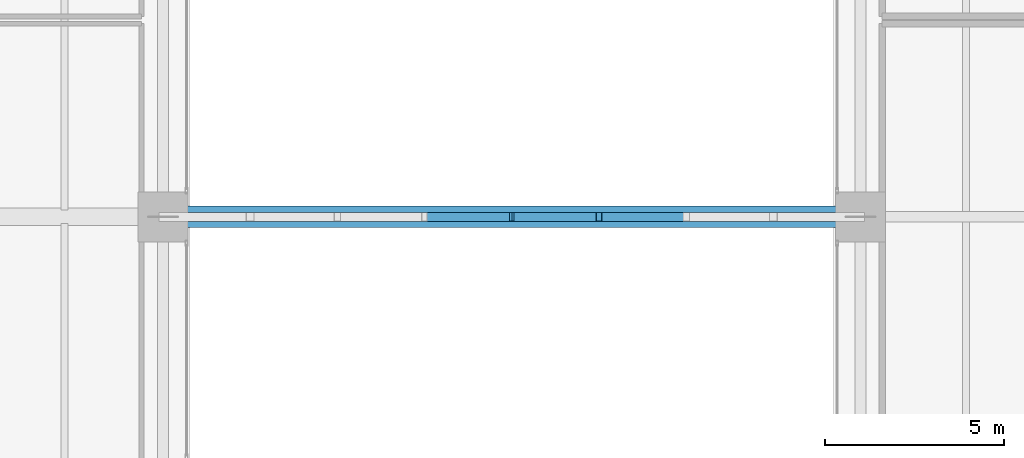
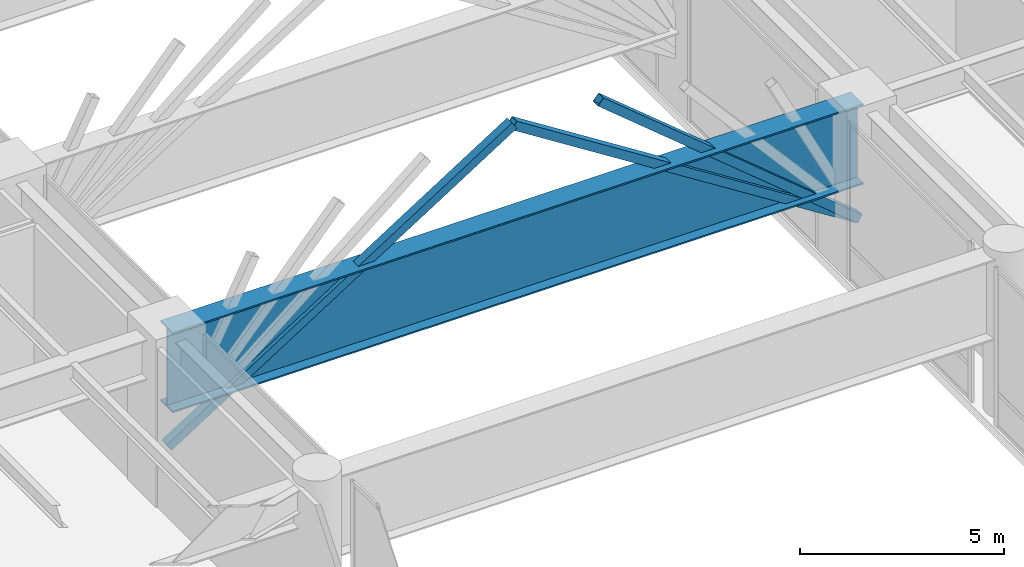
# One storey, part 15 of 39: 3 members, 1 beam.
"""IFC4 building model written with IfcOpenShell, lengths in metres."""

from ifc_helpers import new_model, si_unit, direction, frame, origin, origin_2d, place, context, subcontext, project, spatial, hollow_rectangle, i_section, extrude, source, transform, mapped, material, material_profile, profile_set, type_object, type_shapes, element, save


model = new_model("IFC4")

# Units and contexts
model_context = context("Model", 3, precision=1e-05, world=origin(), true_north=direction((0.0, 1.0)))
body_context = subcontext(model_context, "Body", "Model", "MODEL_VIEW")
ifc_project = project(units=[si_unit("LENGTHUNIT", "METRE"), si_unit("AREAUNIT", "SQUARE_METRE"), si_unit("VOLUMEUNIT", "CUBIC_METRE"), si_unit("PLANEANGLEUNIT", "RADIAN"), si_unit("MASSUNIT", "GRAM", prefix="KILO")], contexts=[model_context])

# Site, building, storey
site_placement = place(None, origin())
site = spatial("IfcSite", under=ifc_project, at=site_placement, CompositionType="ELEMENT")
building_placement = place(site_placement, origin())
building = spatial("IfcBuilding", under=site, at=building_placement, Name="Tolvann Quenvar Hotel", CompositionType="ELEMENT")
storey_placement = place(building_placement, frame((0.0, 0.0, 11.0)))
storey = spatial("IfcBuildingStorey", under=building, at=storey_placement, Name="L02", CompositionType="ELEMENT", Elevation=11.0)

# Beam
ifc_material_1 = material(Name="Steel Grade 350", Category="steel")
ifc_material_profile_1 = material_profile(ifc_material_1, i_section(OverallWidth=0.60009765625, OverallDepth=2.39990234375, WebThickness=0.02001953125, FlangeThickness=0.044921875, at=origin_2d()), Name="2400WB655")
ifc_profile_set_1 = profile_set([ifc_material_profile_1], Name="Steel Grade 350")
beam_type = type_object("IfcBeamType", Name="BM_TG_2400WB655", PredefinedType="USERDEFINED", material=ifc_profile_set_1)
shared_shape_1 = source(origin(), body_context, "Body", "SweptSolid", [
    extrude(i_section(OverallWidth=0.60009765625, OverallDepth=2.39990234375, WebThickness=0.02001953125, FlangeThickness=0.044921875, at=origin_2d()), origin(), (0.0, 0.0, 1.0), 19.5),
])
type_shapes(beam_type, [shared_shape_1])
beam_placement = place(storey_placement, frame((18.75, 8.199951171875, 3.5400390625), z_axis=(1.0, 0.0, 0.0), x_axis=(0.0, 1.0, 0.0)))
element("IfcBeam", 1, at=beam_placement, inside=storey, type_object=beam_type, Name="BM-L02-ATIE-2", ObjectType="TRANSFER GIRDER", PredefinedType="USERDEFINED", context=body_context, shape_type="MappedRepresentation", body=[
    mapped(shared_shape_1, transform((0.0, 0.0, 0.0), x_axis=(1.0, 0.0, 0.0), y_axis=(0.0, 1.0, 0.0), z_axis=(0.0, 0.0, 1.0), scale=1.0)),
])

# Members
ifc_material_2 = material(Name="Steel Grade 450 (C450L0)", Category="steel")
ifc_material_profile_2 = material_profile(ifc_material_2, hollow_rectangle(XDim=0.25, YDim=0.25, WallThickness=0.010009765625, at=origin_2d()), Name="250x250x10SHS")
ifc_profile_set_2 = profile_set([ifc_material_profile_2], Name="Steel Grade 450 (C450L0)")
member_type = type_object("IfcMemberType", Name="MEM_POST_250SHS", PredefinedType="POST", material=ifc_profile_set_2)
shared_shape_2 = source(origin(), body_context, "Body", "SweptSolid", [
    extrude(hollow_rectangle(XDim=0.25, YDim=0.25, WallThickness=0.010009765625, at=origin_2d()), origin(), (0.0, 0.0, 1.0), 9.49072265625),
])
member_placement = place(storey_placement, frame((38.25, 8.199951171875, 1.199951171875), z_axis=(-0.770481016294, 0.0, 0.637462942868), x_axis=(0.0, -1.0, 0.0)))
element("IfcMember", 2, at=member_placement, inside=storey, type_object=member_type, Name="Arch Radial Support Strut F2-K5", PredefinedType="POST", context=body_context, shape_type="MappedRepresentation", body=[
    mapped(shared_shape_2, transform((0.0, 0.0, 0.0), x_axis=(1.0, 0.0, 0.0), y_axis=(0.0, 1.0, 0.0), z_axis=(0.0, 0.0, 1.0), scale=1.0)),
])
shared_shape_3 = source(origin(), body_context, "Body", "SweptSolid", [
    extrude(hollow_rectangle(XDim=0.25, YDim=0.25, WallThickness=0.010009765625, at=origin_2d()), origin(), (0.0, 0.0, 1.0), 11.55419921875),
])
type_shapes(member_type, [shared_shape_2, shared_shape_3])
for number, where, z_axis, x_axis, name in (
    (3, (18.75, 8.199951171875, 1.199951171875), (0.843841541128, 0.0, 0.536592446338), (0.0, 1.0, 0.0), "Arch Crown CW Strut F2"),
    (4, (38.25, 8.199951171875, 1.199951171875), (-0.843841541128, 0.0, 0.536592446338), (0.0, -1.0, 0.0), "Arch Crown CE Strut F2"),
):
    element("IfcMember", number, at=place(storey_placement, frame(where, z_axis=z_axis, x_axis=x_axis)), inside=storey, type_object=member_type, Name=name, PredefinedType="POST", context=body_context, shape_type="MappedRepresentation", body=[
        mapped(shared_shape_3, transform((0.0, 0.0, 0.0), x_axis=(1.0, 0.0, 0.0), y_axis=(0.0, 1.0, 0.0), z_axis=(0.0, 0.0, 1.0), scale=1.0)),
    ])

save(model, "model.ifc")
